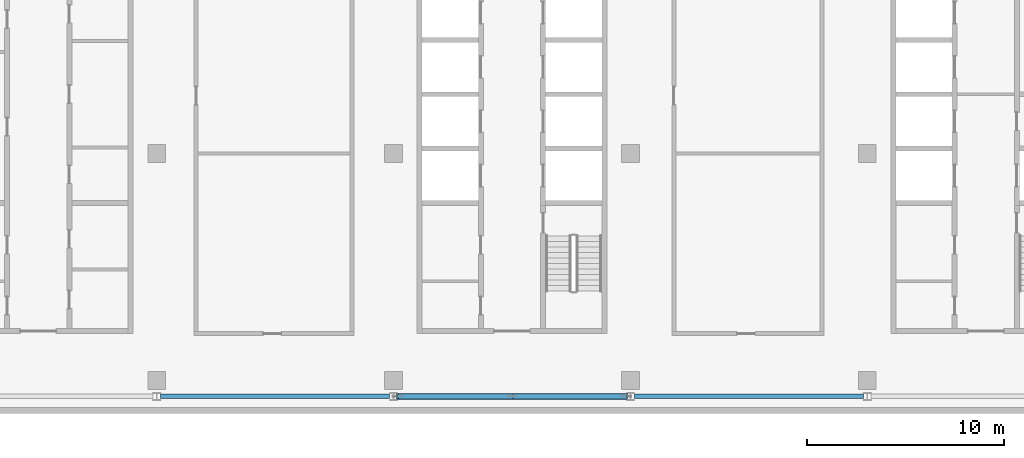
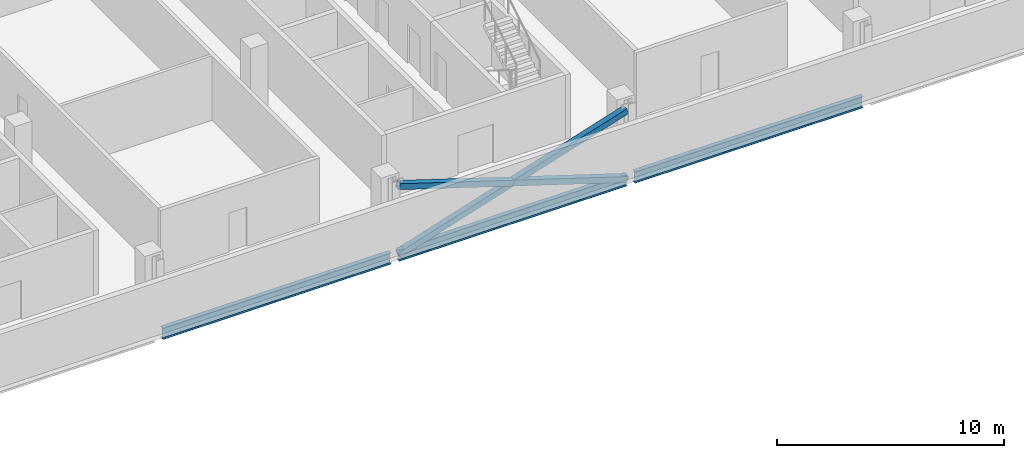
# One storey, part 7 of 29: 3 beams, 3 members.
"""IFC4 building model written with IfcOpenShell, lengths in metres."""

from ifc_helpers import new_model, si_unit, direction, frame, origin, origin_2d, place, context, subcontext, project, spatial, hollow_rectangle, i_section, extrude, material, material_profile, profile_set, type_object, element, save


model = new_model("IFC4")

# Units and contexts
model_context = context("Model", 3, precision=1e-05, world=origin(), true_north=direction((0.0, 1.0)))
body_context = subcontext(model_context, "Body", "Model", "MODEL_VIEW")
ifc_project = project(units=[si_unit("LENGTHUNIT", "METRE"), si_unit("AREAUNIT", "SQUARE_METRE"), si_unit("VOLUMEUNIT", "CUBIC_METRE"), si_unit("PLANEANGLEUNIT", "RADIAN"), si_unit("MASSUNIT", "GRAM", prefix="KILO")], contexts=[model_context])

# Site, building, storey
site_placement = place(None, origin())
site = spatial("IfcSite", under=ifc_project, at=site_placement, CompositionType="ELEMENT")
building_placement = place(site_placement, origin())
building = spatial("IfcBuilding", under=site, at=building_placement, Name="Mahtab Terrace Research Tower", CompositionType="ELEMENT")
storey_placement = place(building_placement, frame((0.0, 0.0, 274.699951171875)))
storey = spatial("IfcBuildingStorey", under=building, at=storey_placement, Name="L67", CompositionType="ELEMENT", Elevation=274.699951171875)

# Members
ifc_material_1 = material(Name="Steel ASTM A500 Gr C", Category="steel")
ifc_material_profile_1 = material_profile(ifc_material_1, hollow_rectangle(XDim=0.3046875, YDim=0.3046875, WallThickness=0.015869140625, at=origin_2d()), Name="HSS12X12X5/8")
ifc_profile_set_1 = profile_set([ifc_material_profile_1], Name="Steel ASTM A500 Gr C")
member_type = type_object("IfcMemberType", Name="HSS 12x12x5/8 brace XB121258", PredefinedType="BRACE", material=ifc_profile_set_1)
member_placement = place(storey_placement, frame((-5.80322265625, -12.306884765625, -0.5810546875), z_axis=(0.953344149173, 0.0, 0.301885629399), x_axis=(0.0, 1.0, 0.0)))
element("IfcMember", 1, at=member_placement, inside=storey, type_object=member_type, Name="Exoskeleton brace L67 17 a", PredefinedType="BRACE", context=body_context, shape_type="SweptSolid", body=[
    extrude(hollow_rectangle(XDim=0.3046875, YDim=0.3046875, WallThickness=0.015869140625, at=origin_2d()), origin(), (0.0, 0.0, 1.0), 12.174560546875),
])
for number, where, z_axis, x_axis, name in (
    (2, (5.80322265625, -12.306884765625, -0.5810546875), (-0.953344149173, 0.0, 0.301885629399), (0.0, -1.0, 0.0), "Exoskeleton brace L67 17 b1"),
    (3, (0.0, -12.306884765625, 1.256591796875), (-0.953344149173, 0.0, 0.301885629399), (0.0, -1.0, 0.0), "Exoskeleton brace L67 17 b2"),
):
    element("IfcMember", number, at=place(storey_placement, frame(where, z_axis=z_axis, x_axis=x_axis)), inside=storey, type_object=member_type, Name=name, PredefinedType="BRACE", context=body_context, shape_type="SweptSolid", body=[
        extrude(hollow_rectangle(XDim=0.3046875, YDim=0.3046875, WallThickness=0.015869140625, at=origin_2d()), origin(), (0.0, 0.0, 1.0), 6.087158203125),
    ])

# Beams
ifc_material_2 = material(Name="Steel ASTM A992 Gr 50", Category="steel")
ifc_material_profile_2 = material_profile(ifc_material_2, i_section(OverallWidth=0.228271484375, OverallDepth=0.607177734375, WebThickness=0.01123046875, FlangeThickness=0.017333984375, at=origin_2d()), Name="W24X76")
ifc_profile_set_2 = profile_set([ifc_material_profile_2], Name="Steel ASTM A992 Gr 50")
beam_type = type_object("IfcBeamType", Name="W24x76 beam BS2476", PredefinedType="BEAM", material=ifc_profile_set_2)
for number, where, z_axis, x_axis, name in (
    (4, (-17.80322265625, -12.306884765625, -0.6435546875), (1.0, 0.0, 0.0), (0.0, 1.0, 0.0), "Spandrel beam L67 16"),
    (5, (-5.80322265625, -12.306884765625, -0.6435546875), (1.0, 0.0, 0.0), (0.0, 1.0, 0.0), "Spandrel beam L67 17"),
    (6, (6.19677734375, -12.306884765625, -0.6435546875), (1.0, 0.0, 0.0), (0.0, 1.0, 0.0), "Spandrel beam L67 18"),
):
    element("IfcBeam", number, at=place(storey_placement, frame(where, z_axis=z_axis, x_axis=x_axis)), inside=storey, type_object=beam_type, Name=name, PredefinedType="BEAM", context=body_context, shape_type="SweptSolid", body=[
        extrude(i_section(OverallWidth=0.228271484375, OverallDepth=0.607177734375, WebThickness=0.01123046875, FlangeThickness=0.017333984375, at=origin_2d()), origin(), (0.0, 0.0, 1.0), 11.6064453125),
    ])

save(model, "model.ifc")
